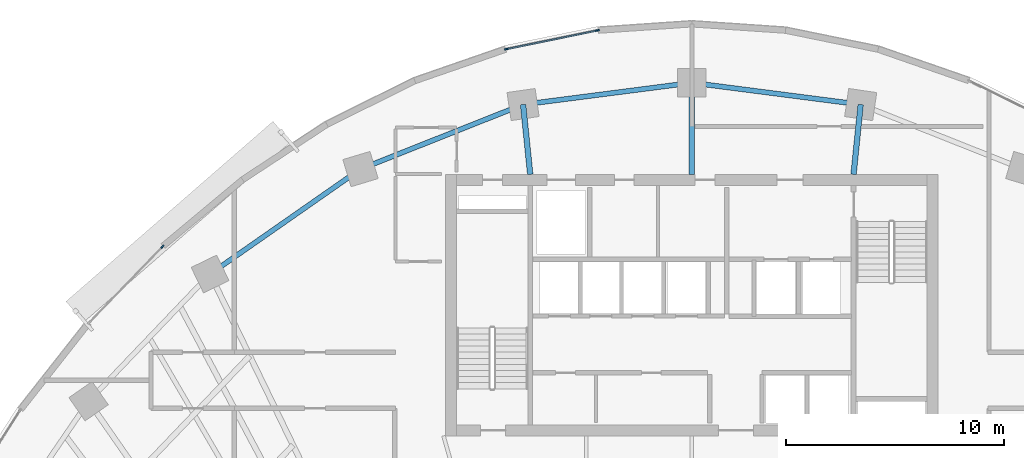
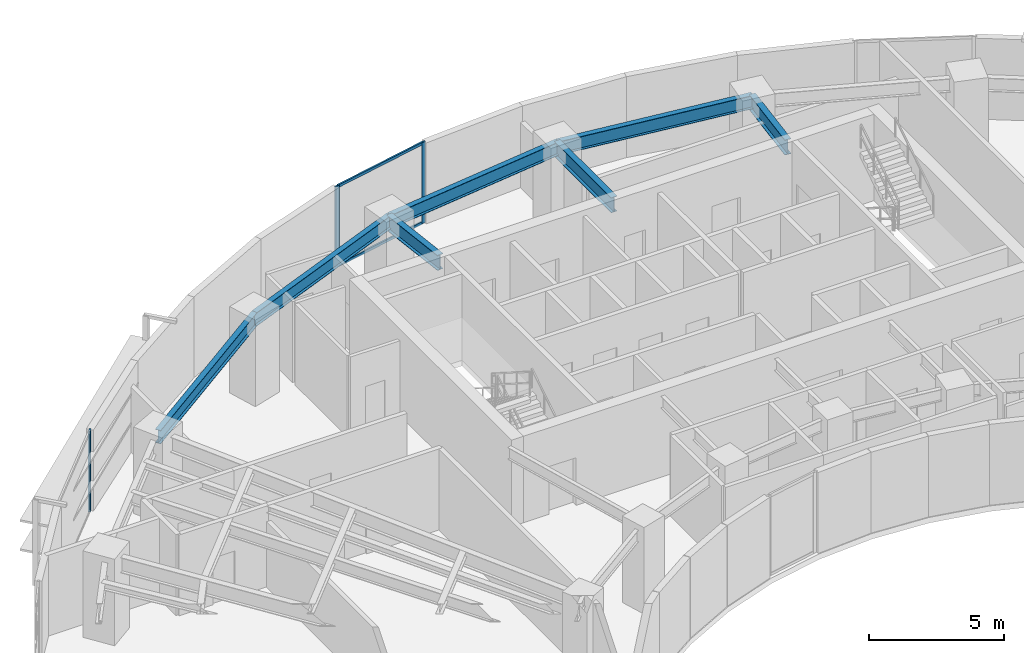
# One storey, part 5 of 13: 7 beams, 5 members, 2 elements without a shape of their own.
"""IFC4 building model written with IfcOpenShell, lengths in metres."""

from ifc_helpers import new_model, si_unit, direction, frame, origin, origin_2d, place, context, subcontext, project, spatial, rectangle, i_section, extrude, source, transform, mapped, material, layer, layer_set, material_profile, profile_set, type_object, element, aggregate, save


model = new_model("IFC4")

# Units and contexts
model_context = context("Model", 3, precision=1e-05, world=origin(), true_north=direction((0.0, 1.0)))
body_context = subcontext(model_context, "Body", "Model", "MODEL_VIEW")
ifc_project = project(units=[si_unit("LENGTHUNIT", "METRE"), si_unit("AREAUNIT", "SQUARE_METRE"), si_unit("VOLUMEUNIT", "CUBIC_METRE"), si_unit("PLANEANGLEUNIT", "RADIAN"), si_unit("MASSUNIT", "GRAM", prefix="KILO")], contexts=[model_context])

# Site, building, storey
site_placement = place(None, origin())
site = spatial("IfcSite", under=ifc_project, at=site_placement, CompositionType="ELEMENT")
building_placement = place(site_placement, origin())
building = spatial("IfcBuilding", under=site, at=building_placement, Name="Breltana Convention Tower", CompositionType="ELEMENT")
storey_placement = place(building_placement, frame((0.0, 0.0, 107.699951171875)))
storey = spatial("IfcBuildingStorey", under=building, at=storey_placement, Name="L25", CompositionType="ELEMENT", Elevation=107.699951171875)

# Beams
ifc_material_1 = material(Name="Steel ASTM A992 Grade 50", Category="steel")
ifc_material_profile_1 = material_profile(ifc_material_1, i_section(OverallWidth=0.25390625, OverallDepth=0.68798828125, WebThickness=0.01318359375, FlangeThickness=0.02099609375, at=origin_2d()), Name="W27X102")
ifc_profile_set_1 = profile_set([ifc_material_profile_1], Name="Steel ASTM A992 Grade 50")
beam_type_1 = type_object("IfcBeamType", Name="BM-RG-W27X102", PredefinedType="USERDEFINED", material=ifc_profile_set_1)
shared_shape_1 = source(origin(), body_context, "Body", "SweptSolid", [
    extrude(i_section(OverallWidth=0.25390625, OverallDepth=0.68798828125, WebThickness=0.01318359375, FlangeThickness=0.02099609375, at=origin_2d()), origin(), (0.0, 0.0, 1.0), 3.220947265625),
])
for number, where, z_axis, x_axis, name in (
    (1, (40.580078125, 72.199951171875, 3.30615234375), (-0.101492254858, 0.994836329355, 0.0), (-0.994836329355, -0.101492254858, 0.0), "L25 North Core Radial Girder R05"),
    (2, (55.419921875, 72.199951171875, 3.30615234375), (0.101492254858, 0.994836329355, 0.0), (-0.994836329355, 0.101492254858, 0.0), "L25 North Core Radial Girder R07"),
):
    element("IfcBeam", number, at=place(storey_placement, frame(where, z_axis=z_axis, x_axis=x_axis)), inside=storey, type_object=beam_type_1, Name=name, ObjectType="GIRDER", PredefinedType="USERDEFINED", context=body_context, shape_type="MappedRepresentation", body=[
        mapped(shared_shape_1, transform((0.0, 0.0, 0.0), scale=1.0)),
    ])
shared_shape_2 = source(origin(), body_context, "Body", "SweptSolid", [
    extrude(i_section(OverallWidth=0.25390625, OverallDepth=0.68798828125, WebThickness=0.01318359375, FlangeThickness=0.02099609375, at=origin_2d()), origin(), (0.0, 0.0, 1.0), 4.2041015625),
])
beam_1_placement = place(storey_placement, frame((48.0, 72.199951171875, 3.30615234375), z_axis=(0.0, 1.0, 0.0), x_axis=(-1.0, 0.0, 0.0)))
element("IfcBeam", 3, at=beam_1_placement, inside=storey, type_object=beam_type_1, Name="L25 North Core Radial Girder R06", ObjectType="GIRDER", PredefinedType="USERDEFINED", context=body_context, shape_type="MappedRepresentation", body=[
    mapped(shared_shape_2, transform((0.0, 0.0, 0.0), scale=1.0)),
])
ifc_material_profile_2 = material_profile(ifc_material_1, i_section(OverallWidth=0.22802734375, OverallDepth=0.60791015625, WebThickness=0.01123046875, FlangeThickness=0.017333984375, at=origin_2d()), Name="W24X76")
ifc_profile_set_2 = profile_set([ifc_material_profile_2], Name="Steel ASTM A992 Grade 50")
beam_type_2 = type_object("IfcBeamType", Name="BM-SP-W24X76", PredefinedType="SPANDREL", material=ifc_profile_set_2)
shared_shape_3 = source(origin(), body_context, "Body", "SweptSolid", [
    extrude(i_section(OverallWidth=0.22802734375, OverallDepth=0.60791015625, WebThickness=0.01123046875, FlangeThickness=0.017333984375, at=origin_2d()), origin(), (0.0, 0.0, 1.0), 8.4169921875),
])
beam_2_placement = place(storey_placement, frame((25.8876953125, 67.626953125, 3.345947265625), z_axis=(0.820173800102, 0.572114444519, 0.0), x_axis=(-0.572114444519, 0.820173800102, 0.0)))
element("IfcBeam", 4, at=beam_2_placement, inside=storey, type_object=beam_type_2, Name="L25 Outer Spandrel Beam 03", PredefinedType="SPANDREL", context=body_context, shape_type="MappedRepresentation", body=[
    mapped(shared_shape_3, transform((0.0, 0.0, 0.0), scale=1.0)),
])
shared_shape_4 = source(origin(), body_context, "Body", "SweptSolid", [
    extrude(i_section(OverallWidth=0.22802734375, OverallDepth=0.60791015625, WebThickness=0.01123046875, FlangeThickness=0.017333984375, at=origin_2d()), origin(), (0.0, 0.0, 1.0), 8.028564453125),
])
beam_3_placement = place(storey_placement, frame((32.791015625, 72.4423828125, 3.345947265625), z_axis=(0.929459100394, 0.368925169507, 0.0), x_axis=(-0.368925169507, 0.929459100394, 0.0)))
element("IfcBeam", 5, at=beam_3_placement, inside=storey, type_object=beam_type_2, Name="L25 Outer Spandrel Beam 04", PredefinedType="SPANDREL", context=body_context, shape_type="MappedRepresentation", body=[
    mapped(shared_shape_4, transform((0.0, 0.0, 0.0), scale=1.0)),
])
shared_shape_5 = source(origin(), body_context, "Body", "SweptSolid", [
    extrude(i_section(OverallWidth=0.22802734375, OverallDepth=0.60791015625, WebThickness=0.01123046875, FlangeThickness=0.017333984375, at=origin_2d()), origin(), (0.0, 0.0, 1.0), 7.81103515625),
])
for number, where, z_axis, x_axis, name in (
    (6, (40.253173828125, 75.404296875, 3.345947265625), (0.991775179127, 0.127992164083, 0.0), (-0.127992164083, 0.991775179127, 0.0), "L25 Outer Spandrel Beam 05"),
    (7, (48.0, 76.404052734375, 3.345947265625), (0.991775179127, -0.127992164083, 0.0), (0.127992164083, 0.991775179127, 0.0), "L25 Outer Spandrel Beam 06"),
):
    element("IfcBeam", number, at=place(storey_placement, frame(where, z_axis=z_axis, x_axis=x_axis)), inside=storey, type_object=beam_type_2, Name=name, PredefinedType="SPANDREL", context=body_context, shape_type="MappedRepresentation", body=[
        mapped(shared_shape_5, transform((0.0, 0.0, 0.0), scale=1.0)),
    ])

# Curtain wall, members
ifc_material_2 = material(Name="Aluminium Anodised Bronze Frame", Category="aluminium")
ifc_layer = layer(ifc_material_2, 0.22998046875, Name="Aluminium Anodised Bronze Frame")
ifc_layer_set = layer_set([ifc_layer], Name="Aluminium Anodised Bronze Frame")
curtain_wall_type = type_object("IfcCurtainWallType", Name="CW-SYS-5", PredefinedType="NOTDEFINED", material=ifc_layer_set)
curtain_wall_1_placement = place(storey_placement, origin())
curtain_wall_1 = element("IfcCurtainWall", 8, at=curtain_wall_1_placement, inside=storey, type_object=curtain_wall_type, Name="L25 outer double-skin inner glazing 3", PredefinedType="NOTDEFINED")
ifc_material_3 = material(Name="Aluminium Anodised Bronze", Category="aluminium")
ifc_material_profile_3 = material_profile(ifc_material_3, rectangle(XDim=0.070068359375, YDim=0.1201171875, at=origin_2d()), Name="CWT-70X120")
ifc_profile_set_3 = profile_set([ifc_material_profile_3], Name="Aluminium Anodised Bronze")
member_type_1 = type_object("IfcMemberType", Name="CWT-120", PredefinedType="USERDEFINED", material=ifc_profile_set_3)
shared_shape_6 = source(origin(), body_context, "Body", "SweptSolid", [
    extrude(rectangle(XDim=0.070068359375, YDim=0.1201171875, at=origin_2d()), origin(), (0.0, 0.0, 1.0), 4.200927734375),
])
member_1_placement = place(storey_placement, frame((39.520263671875, 77.955078125, 0.03515625), z_axis=(0.979621469833, 0.200852622196, 0.0), x_axis=(-0.200852622196, 0.979621469833, 0.0)))
member_1 = element("IfcMember", 9, at=member_1_placement, type_object=member_type_1, Name="CW-05 transom 1.1", ObjectType="TRANSOM", PredefinedType="USERDEFINED", context=body_context, shape_type="MappedRepresentation", body=[
    mapped(shared_shape_6, transform((0.0, 0.0, 0.0), scale=1.0)),
])
member_2_placement = place(storey_placement, frame((39.520263671875, 77.955078125, 3.614990234375), z_axis=(0.979621469833, 0.200852622196, 0.0), x_axis=(-0.200852622196, 0.979621469833, 0.0)))
member_2 = element("IfcMember", 10, at=member_2_placement, type_object=member_type_1, Name="CW-05 transom 1.2", ObjectType="TRANSOM", PredefinedType="USERDEFINED", context=body_context, shape_type="MappedRepresentation", body=[
    mapped(shared_shape_6, transform((0.0, 0.0, 0.0), scale=1.0)),
])

# Curtain wall, member
curtain_wall_2_placement = place(storey_placement, origin())
curtain_wall_2 = element("IfcCurtainWall", 11, at=curtain_wall_2_placement, inside=storey, type_object=curtain_wall_type, Name="L25 outer double-skin inner glazing 2", PredefinedType="NOTDEFINED")
ifc_material_profile_4 = material_profile(ifc_material_3, rectangle(XDim=0.070068359375, YDim=0.175048828125, at=origin_2d()), Name="CWM-70X175")
ifc_profile_set_4 = profile_set([ifc_material_profile_4], Name="Aluminium Anodised Bronze")
member_type_2 = type_object("IfcMemberType", Name="CWM-175", PredefinedType="MULLION", material=ifc_profile_set_4)
shared_shape_7 = source(origin(), body_context, "Body", "SweptSolid", [
    extrude(rectangle(XDim=0.070068359375, YDim=0.175048828125, at=origin_2d()), origin(), (0.0, 0.0, 1.0), 3.650146484375),
])
member_3_placement = place(storey_placement, frame((23.700439453125, 68.88232421875, 0.0), z_axis=(0.0, 0.0, 1.0), x_axis=(-0.719384961558, 0.694611601605, 0.0)))
member_3 = element("IfcMember", 12, at=member_3_placement, type_object=member_type_2, Name="CW-05 mullion 2", PredefinedType="MULLION", context=body_context, shape_type="MappedRepresentation", body=[
    mapped(shared_shape_7, transform((0.0, 0.0, 0.0), scale=1.0)),
])
aggregate(curtain_wall_2, [member_3])

# Member
member_4_placement = place(storey_placement, frame((39.486083984375, 77.947998046875, 0.0), z_axis=(0.0, 0.0, 1.0), x_axis=(-0.200858550415, 0.979620254346, 0.0)))
member_4 = element("IfcMember", 13, at=member_4_placement, type_object=member_type_2, Name="CW-05 mullion 1", PredefinedType="MULLION", context=body_context, shape_type="MappedRepresentation", body=[
    mapped(shared_shape_7, transform((0.0, 0.0, 0.0), scale=1.0)),
])

member_5_placement = place(storey_placement, frame((43.669921875, 78.805908203125, 0.0), z_axis=(0.0, 0.0, 1.0), x_axis=(-0.200858550415, 0.979620254346, 0.0)))
member_5 = element("IfcMember", 14, at=member_5_placement, type_object=member_type_2, Name="CW-05 mullion 2", PredefinedType="MULLION", context=body_context, shape_type="MappedRepresentation", body=[
    mapped(shared_shape_7, transform((0.0, 0.0, 0.0), scale=1.0)),
])

aggregate(curtain_wall_1, [member_4, member_5, member_1, member_2])

save(model, "model.ifc")
